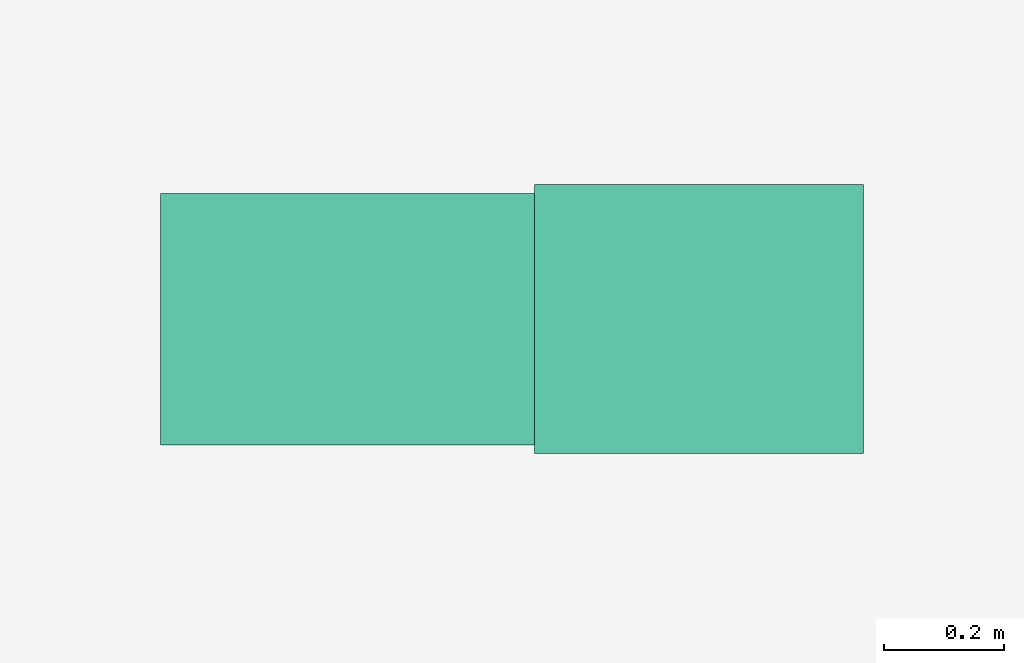
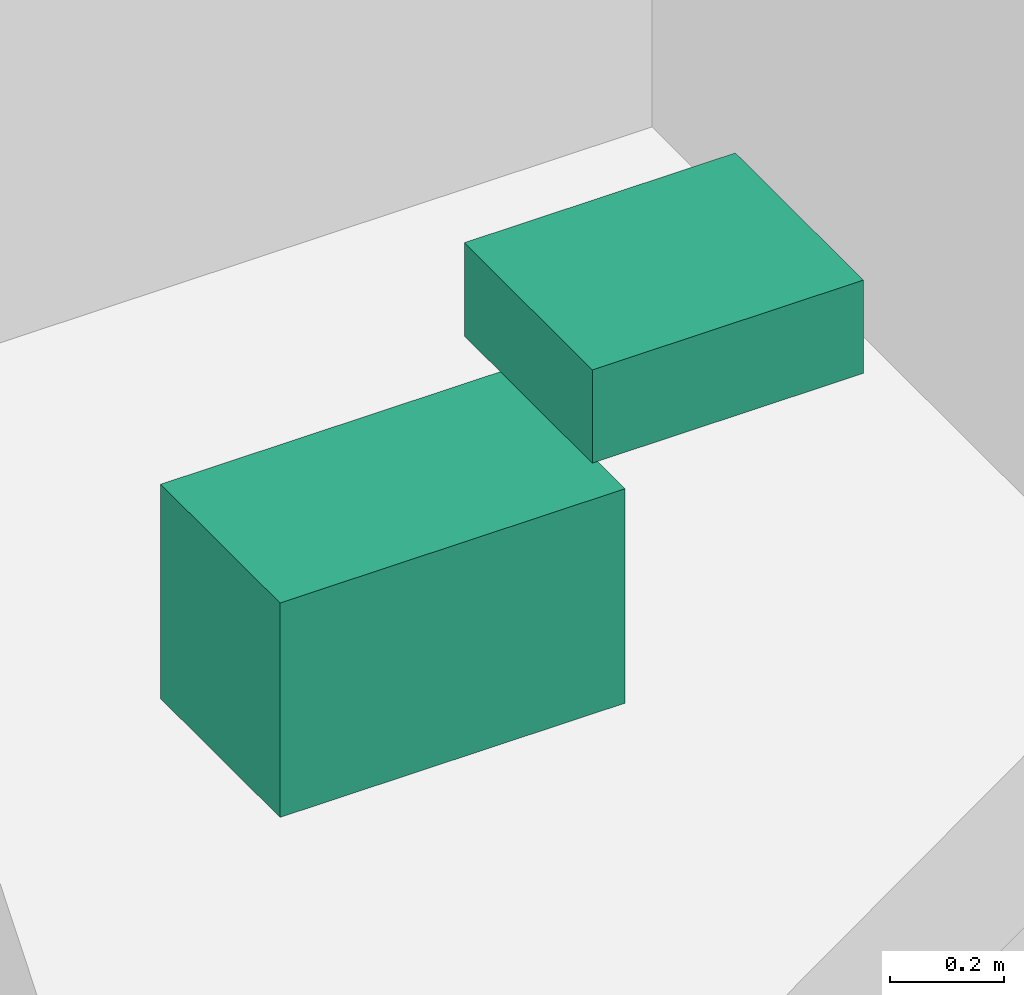
# One storey, part 21 of 21: 2 sanitary terminals.
"""IFC4 building model written with IfcOpenShell, lengths in metres."""

import ifcopenshell
import ifcopenshell.guid

model = None  # the IFC model being written
_history = None  # IfcOwnerHistory: only IFC2X3 demands one
_inside = {}  # id of a spatial element -> (the spatial element, [elements in it])
_under = {}  # id of a project, library or spatial element -> (it, [spatial elements below it])
_declared = {}  # id of a project -> (the project, [libraries it declares])
_typed = {}  # id of a type object -> (the type object, [elements of that type])
_made_of = {}  # id of a material, layer set ... -> (it, [elements and type objects made of it])


def new_model(schema):
    """Start an empty IFC model of exactly this schema.

    Asked for "IFC4X3", IfcOpenShell would pick the latest addendum, in which some entities
    have other attributes; the version numbers below select the first issue.
    IFC2X3 requires an IfcOwnerHistory on every rooted entity: one is made here for all.
    """
    global model, _history
    if schema == "IFC4X3":
        model = ifcopenshell.file(schema_version=(4, 3, 0, 0))
    else:
        model = ifcopenshell.file(schema=schema)
    _inside.clear()
    _under.clear()
    _declared.clear()
    _typed.clear()
    _made_of.clear()
    _history = None
    if model.schema == "IFC2X3":
        org = make("IfcOrganization", Name="unknown")
        user = make(
            "IfcPersonAndOrganization",
            ThePerson=make("IfcPerson", FamilyName="unknown"),
            TheOrganization=org,
        )
        app = make(
            "IfcApplication",
            ApplicationDeveloper=org,
            Version="unknown",
            ApplicationFullName="unknown",
            ApplicationIdentifier="unknown",
        )
        _history = make(
            "IfcOwnerHistory",
            OwningUser=user,
            OwningApplication=app,
            ChangeAction="ADDED",
            CreationDate=0,
        )
    return model


def make(cls, **values):
    """One entity of the class cls with the attributes given. An attribute that is None is left unset."""
    return model.create_entity(
        cls, **{name: value for name, value in values.items() if value is not None}
    )


def rooted(cls, **values):
    """An entity with a GlobalId (a new one), such as an element, a storey or a relation."""
    return make(cls, GlobalId=ifcopenshell.guid.new(), OwnerHistory=_history, **values)


def si_unit(unit_type, name, prefix=None):
    """IfcSIUnit, for example si_unit("LENGTHUNIT", "METRE", prefix="MILLI")."""
    return make("IfcSIUnit", UnitType=unit_type, Prefix=prefix, Name=name)


def assignment(units):
    """IfcUnitAssignment: the units of a project."""
    return None if units is None else make("IfcUnitAssignment", Units=units)


def point(xyz):
    """IfcCartesianPoint."""
    return None if xyz is None else make("IfcCartesianPoint", Coordinates=xyz)


def direction(xyz):
    """IfcDirection."""
    return None if xyz is None else make("IfcDirection", DirectionRatios=xyz)


def frame(location, z_axis=None, x_axis=None):
    """IfcAxis2Placement3D, a coordinate frame: its origin and axes. An axis left out is left unset."""
    return make(
        "IfcAxis2Placement3D",
        Location=point(location),
        Axis=direction(z_axis),
        RefDirection=direction(x_axis),
    )


def frame_2d(location, x_axis=None):
    """IfcAxis2Placement2D, a coordinate frame in the plane: its origin and x axis."""
    return make(
        "IfcAxis2Placement2D", Location=point(location), RefDirection=direction(x_axis)
    )


def origin():
    """The frame at (0, 0, 0) with its axes left unset."""
    return frame((0.0, 0.0, 0.0))


def origin_2d():
    """The frame at (0, 0) in the plane with its x axis left unset."""
    return frame_2d((0.0, 0.0))


def place(relative_to, where):
    """IfcLocalPlacement: puts the frame where relative to a parent placement (None: the world)."""
    return make(
        "IfcLocalPlacement", PlacementRelTo=relative_to, RelativePlacement=where
    )


def context(
    kind, dimensions, precision=None, world=None, true_north=None, identifier=None
):
    """IfcGeometricRepresentationContext, for example the 3D "Model" context."""
    return make(
        "IfcGeometricRepresentationContext",
        ContextIdentifier=identifier,
        ContextType=kind,
        CoordinateSpaceDimension=dimensions,
        Precision=precision,
        WorldCoordinateSystem=world,
        TrueNorth=true_north,
    )


def subcontext(parent, identifier, kind, view, scale=None):
    """IfcGeometricRepresentationSubContext, for example "Body" below "Model"."""
    return make(
        "IfcGeometricRepresentationSubContext",
        ContextIdentifier=identifier,
        ContextType=kind,
        ParentContext=parent,
        TargetScale=scale,
        TargetView=view,
    )


def project(units=None, contexts=None):
    """IfcProject with its units and contexts."""
    return rooted(
        "IfcProject",
        Name="project",
        RepresentationContexts=contexts,
        UnitsInContext=assignment(units),
    )


def spatial(cls, under=None, at=None, **own):
    """A site, building, storey or space (cls), placed at a placement, below another one or the project."""
    s = rooted(cls, ObjectPlacement=at, **own)
    if under is not None:
        _under.setdefault(under.id(), (under, []))[1].append(s)
    return s


def profile(cls, at=None, kind="AREA", **sizes):
    """A parametric profile (cls). Its sizes go by their IFC names, for example OverallWidth=200.0."""
    return make(cls, ProfileType=kind, Position=at, **sizes)


def rectangle(**sizes):
    """IfcRectangleProfileDef."""
    return profile("IfcRectangleProfileDef", **sizes)


def extrude(swept, where, along, depth):
    """IfcExtrudedAreaSolid: the profile swept, set in the frame where, extruded along a direction by depth."""
    return make(
        "IfcExtrudedAreaSolid",
        SweptArea=swept,
        Position=where,
        ExtrudedDirection=direction(along),
        Depth=depth,
    )


def shape(context_of_items, identifier, shape_type, items):
    """IfcShapeRepresentation: the items that make up one representation, for example the "Body"."""
    return make(
        "IfcShapeRepresentation",
        ContextOfItems=context_of_items,
        RepresentationIdentifier=identifier,
        RepresentationType=shape_type,
        Items=items,
    )


def material(Name=None, Category=None):
    """IfcMaterial."""
    return make("IfcMaterial", Name=Name, Category=Category)


def made_of(thing, what):
    """Note that an element or type object is made of a material, layer set ...; save() writes the relation."""
    if what is not None:
        _made_of.setdefault(what.id(), (what, []))[1].append(thing)
    return thing


def type_object(cls, material=None, **own):
    """A type object (cls), such as IfcWallType, which elements share."""
    return made_of(rooted(cls, **own), material)


def element(
    cls,
    number,
    at=None,
    inside=None,
    cuts=None,
    type_object=None,
    material=None,
    context=None,
    identifier="Body",
    shape_type=None,
    held_by="IfcProductDefinitionShape",
    body=None,
    shapes=None,
    **own,
):
    """One element of the class cls, such as IfcWall. Its Tag is "e" and its number.

    at: its placement. inside: the storey or other place that contains it. cuts: it is an
    opening in that element (IfcRelVoidsElement). A single representation is given by context,
    identifier, shape_type and body (its items); several are given by shapes. held_by: the class
    of the entity that holds the representations. save() writes the other relations.
    """
    e = rooted(cls, Tag="e%d" % number, ObjectPlacement=at, **own)
    if body is not None:
        shapes = [shape(context, identifier, shape_type, body)]
    if shapes is not None:
        e.Representation = make(held_by, Representations=shapes)
    if inside is not None:
        _inside.setdefault(inside.id(), (inside, []))[1].append(e)
    if cuts is not None:
        rooted(
            "IfcRelVoidsElement", RelatingBuildingElement=cuts, RelatedOpeningElement=e
        )
    if type_object is not None:
        _typed.setdefault(type_object.id(), (type_object, []))[1].append(e)
    return made_of(e, material)


def aggregate(whole, parts):
    """IfcRelAggregates: a whole, such as a stair, and the parts it consists of."""
    return rooted("IfcRelAggregates", RelatingObject=whole, RelatedObjects=parts)


def save(model, path):
    """Write the relations noted so far, then the file.

    IfcRelAggregates (storeys below a building ...), IfcRelContainedInSpatialStructure (elements
    in a storey), IfcRelDefinesByType, IfcRelAssociatesMaterial and IfcRelDeclares: one each for
    every whole, place, type object, material and project.
    """
    for whole, parts in _under.values():
        aggregate(whole, parts)
    for where, things in _inside.values():
        rooted(
            "IfcRelContainedInSpatialStructure",
            RelatedElements=things,
            RelatingStructure=where,
        )
    for kind, things in _typed.values():
        rooted("IfcRelDefinesByType", RelatedObjects=things, RelatingType=kind)
    for what, things in _made_of.values():
        rooted("IfcRelAssociatesMaterial", RelatedObjects=things, RelatingMaterial=what)
    for by, libraries in _declared.values():
        rooted("IfcRelDeclares", RelatingContext=by, RelatedDefinitions=libraries)
    model.write(path)


model = new_model("IFC4")

# Units and contexts
model_context = context("Model", 3, precision=1e-05, world=origin(), true_north=direction((0.0, 1.0)))
body_context = subcontext(model_context, "Body", "Model", "MODEL_VIEW")
ifc_project = project(units=[si_unit("LENGTHUNIT", "METRE"), si_unit("AREAUNIT", "SQUARE_METRE"), si_unit("VOLUMEUNIT", "CUBIC_METRE"), si_unit("PLANEANGLEUNIT", "RADIAN"), si_unit("MASSUNIT", "GRAM", prefix="KILO")], contexts=[model_context])

# Site, building, storey
site_placement = place(None, origin())
site = spatial("IfcSite", under=ifc_project, at=site_placement, CompositionType="ELEMENT")
building_placement = place(site_placement, origin())
building = spatial("IfcBuilding", under=site, at=building_placement, Name="Surkhivell Harbour Commons", CompositionType="ELEMENT")
storey_placement = place(building_placement, frame((0.0, 0.0, 346.5)))
storey = spatial("IfcBuildingStorey", under=building, at=storey_placement, Name="L90", CompositionType="ELEMENT", Elevation=346.5)

# Sanitary terminals
ifc_material_1 = material(Name="Vitreous china washbasin", Category="other")
sanitary_terminal_type_1 = type_object("IfcSanitaryTerminalType", Name="SAN-BSN", PredefinedType="WASHHANDBASIN", material=ifc_material_1)
sanitary_terminal_1_placement = place(storey_placement, frame((1.89990234375, 2.89990234375, 0.72021484375), z_axis=(0.0, 0.0, 1.0), x_axis=(1.0, 0.0, 0.0)))
element("IfcSanitaryTerminal", 1, at=sanitary_terminal_1_placement, inside=storey, type_object=sanitary_terminal_type_1, Name="L90 Core Accessible WC Washbasin", PredefinedType="WASHHANDBASIN", context=body_context, shape_type="SweptSolid", body=[
    extrude(rectangle(XDim=0.550048828125, YDim=0.449951171875, at=origin_2d()), origin(), (0.0, 0.0, 1.0), 0.199951171875),
])
ifc_material_2 = material(Name="Vitreous china sanitaryware", Category="other")
sanitary_terminal_type_2 = type_object("IfcSanitaryTerminalType", Name="SAN-WC-ACC", PredefinedType="TOILETPAN", material=ifc_material_2)
sanitary_terminal_2_placement = place(storey_placement, frame((1.35009765625, 2.89990234375, 0.169921875), z_axis=(0.0, 0.0, 1.0), x_axis=(1.0, 0.0, 0.0)))
element("IfcSanitaryTerminal", 2, at=sanitary_terminal_2_placement, inside=storey, type_object=sanitary_terminal_type_2, Name="L90 Core Accessible WC", PredefinedType="TOILETPAN", context=body_context, shape_type="SweptSolid", body=[
    extrude(rectangle(XDim=0.699951171875, YDim=0.419921875, at=origin_2d()), origin(), (0.0, 0.0, 1.0), 0.4599609375),
])

save(model, "model.ifc")
